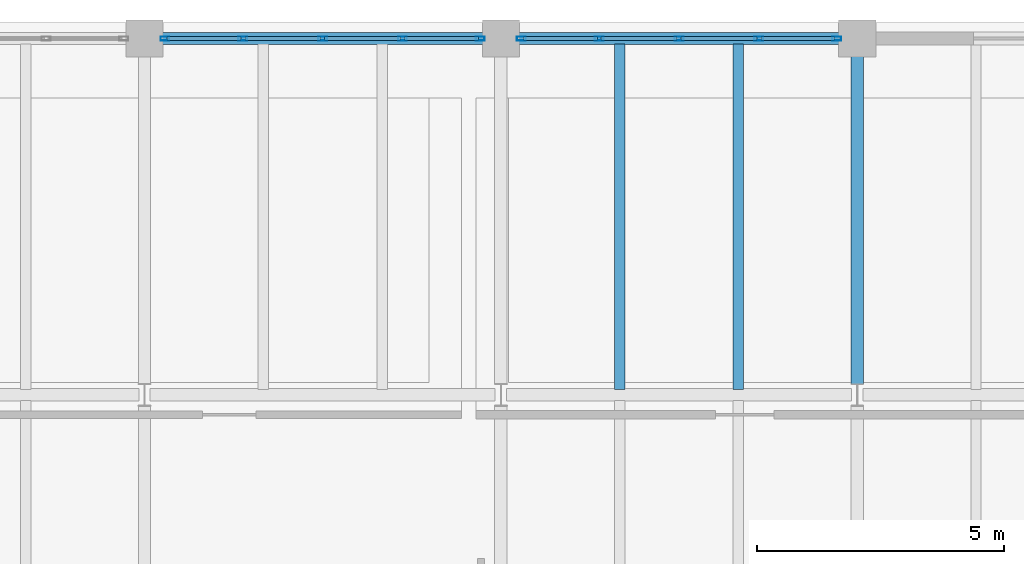
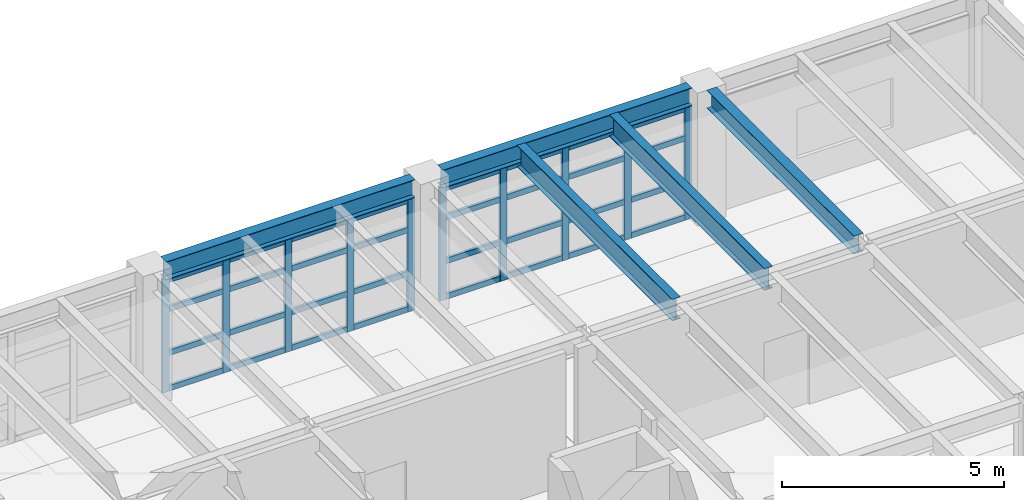
# One storey, part 11 of 24: 42 members, 5 beams, 2 elements without a shape of their own.
"""IFC4 building model written with IfcOpenShell, lengths in metres."""

from ifc_helpers import new_model, si_unit, direction, frame, origin, origin_2d, place, context, subcontext, project, spatial, hollow_rectangle, i_section, extrude, material, layer, layer_set, material_profile, profile_set, type_object, element, aggregate, save


model = new_model("IFC4")

# Units and contexts
model_context = context("Model", 3, precision=1e-05, world=origin(), true_north=direction((0.0, 1.0)))
body_context = subcontext(model_context, "Body", "Model", "MODEL_VIEW")
ifc_project = project(units=[si_unit("LENGTHUNIT", "METRE"), si_unit("AREAUNIT", "SQUARE_METRE"), si_unit("VOLUMEUNIT", "CUBIC_METRE"), si_unit("PLANEANGLEUNIT", "RADIAN"), si_unit("MASSUNIT", "GRAM", prefix="KILO")], contexts=[model_context])

# Site, building, storey
site_placement = place(None, origin())
site = spatial("IfcSite", under=ifc_project, at=site_placement, CompositionType="ELEMENT")
building_placement = place(site_placement, origin())
building = spatial("IfcBuilding", under=site, at=building_placement, Name="Kandorven Conservatory and Botanical Research Centre", CompositionType="ELEMENT")
storey_placement = place(building_placement, frame((0.0, 0.0, 24.89990234375)))
storey = spatial("IfcBuildingStorey", under=building, at=storey_placement, Name="L06", CompositionType="ELEMENT", Elevation=24.89990234375)

# Beams
ifc_material_1 = material(Name="Steel S355 (IS 2062 E350)", Category="steel")
ifc_material_profile_1 = material_profile(ifc_material_1, i_section(OverallWidth=0.25, OverallDepth=0.5, WebThickness=0.010009765625, FlangeThickness=0.0146484375, at=origin_2d()))
ifc_profile_set_1 = profile_set([ifc_material_profile_1], Name="Steel S355 (IS 2062 E350)")
beam_type_1 = type_object("IfcBeamType", Name="Beam_FG-02", PredefinedType="USERDEFINED", material=ifc_profile_set_1)
beam_1_placement = place(storey_placement, frame((20.764892578125, 34.800048828125, 3.400146484375), z_axis=(1.0, 0.0, 0.0), x_axis=(0.0, 1.0, 0.0)))
element("IfcBeam", 1, at=beam_1_placement, inside=storey, type_object=beam_type_1, Name="Primary girder FG-02 TWR L06", ObjectType="GIRDER", PredefinedType="USERDEFINED", context=body_context, shape_type="SweptSolid", body=[
    extrude(i_section(OverallWidth=0.25, OverallDepth=0.5, WebThickness=0.010009765625, FlangeThickness=0.0146484375, at=origin_2d()), origin(), (0.0, 0.0, 1.0), 6.47021484375),
])
beam_2_placement = place(storey_placement, frame((27.965087890625, 34.800048828125, 3.400146484375), z_axis=(1.0, 0.0, 0.0), x_axis=(0.0, 1.0, 0.0)))
element("IfcBeam", 2, at=beam_2_placement, inside=storey, type_object=beam_type_1, Name="Primary girder FG-02 TWR L06", ObjectType="GIRDER", PredefinedType="USERDEFINED", context=body_context, shape_type="SweptSolid", body=[
    extrude(i_section(OverallWidth=0.25, OverallDepth=0.5, WebThickness=0.010009765625, FlangeThickness=0.0146484375, at=origin_2d()), origin(), (0.0, 0.0, 1.0), 6.469970703125),
])
beam_3_placement = place(storey_placement, frame((34.800048828125, 27.81494140625, 3.400146484375), z_axis=(0.0, 1.0, 0.0), x_axis=(-1.0, 0.0, 0.0)))
element("IfcBeam", 3, at=beam_3_placement, inside=storey, type_object=beam_type_1, Name="Primary girder FG-02 TWR L06", ObjectType="GIRDER", PredefinedType="USERDEFINED", context=body_context, shape_type="SweptSolid", body=[
    extrude(i_section(OverallWidth=0.25, OverallDepth=0.5, WebThickness=0.010009765625, FlangeThickness=0.0146484375, at=origin_2d()), origin(), (0.0, 0.0, 1.0), 6.6201171875),
])
ifc_material_2 = material(Name="Steel S355 (IS 2062 E350)", Category="steel")
ifc_material_profile_2 = material_profile(ifc_material_2, i_section(OverallWidth=0.2099609375, OverallDepth=0.60009765625, WebThickness=0.011962890625, FlangeThickness=0.020751953125, at=origin_2d()))
ifc_profile_set_2 = profile_set([ifc_material_profile_2], Name="Steel S355 (IS 2062 E350)")
beam_type_2 = type_object("IfcBeamType", Name="Beam_SB-01", PredefinedType="BEAM", material=ifc_profile_set_2)
for number, where, z_axis, x_axis, name in (
    (4, (30.0, 27.7099609375, 3.35009765625), (0.0, 1.0, 0.0), (-1.0, 0.0, 0.0), "Composite secondary beam SB-01 TWR L06"),
    (5, (32.39990234375, 27.7099609375, 3.35009765625), (0.0, 1.0, 0.0), (-1.0, 0.0, 0.0), "Composite secondary beam SB-01 TWR L06"),
):
    element("IfcBeam", number, at=place(storey_placement, frame(where, z_axis=z_axis, x_axis=x_axis)), inside=storey, type_object=beam_type_2, Name=name, PredefinedType="BEAM", context=body_context, shape_type="SweptSolid", body=[
        extrude(i_section(OverallWidth=0.2099609375, OverallDepth=0.60009765625, WebThickness=0.011962890625, FlangeThickness=0.020751953125, at=origin_2d()), origin(), (0.0, 0.0, 1.0), 6.97998046875),
    ])

# Curtain wall, members
ifc_material_3 = material(Name="Bronze anodised thermally broken aluminium", Category="aluminium")
ifc_layer = layer(ifc_material_3, 0.179931640625)
ifc_layer_set = layer_set([ifc_layer], Name="Bronze anodised thermally broken aluminium")
curtain_wall_type = type_object("IfcCurtainWallType", Name="CW_Unitised", PredefinedType="USERDEFINED", material=ifc_layer_set)
curtain_wall_1_placement = place(storey_placement, origin())
curtain_wall_1 = element("IfcCurtainWall", 6, at=curtain_wall_1_placement, inside=storey, type_object=curtain_wall_type, Name="Tower laboratory curtain wall CW-TWR-N-L06-3", ObjectType="UNITISED GLAZING", PredefinedType="USERDEFINED")
ifc_material_4 = material(Name="Bronze anodised thermally broken aluminium", Category="aluminium")
ifc_material_profile_3 = material_profile(ifc_material_4, hollow_rectangle(XDim=0.080078125, YDim=0.179931640625, WallThickness=0.006103515625, at=origin_2d()))
ifc_profile_set_3 = profile_set([ifc_material_profile_3], Name="Bronze anodised thermally broken aluminium")
member_type_1 = type_object("IfcMemberType", Name="CW_Mullion", PredefinedType="MULLION", material=ifc_profile_set_3)
member_1_placement = place(storey_placement, frame((20.81494140625, 34.800048828125, 0.0), z_axis=(0.0, 0.0, 1.0), x_axis=(0.0, 1.0, 0.0)))
member_1 = element("IfcMember", 7, at=member_1_placement, type_object=member_type_1, Name="CW-01 mullion 1", PredefinedType="MULLION", context=body_context, shape_type="SweptSolid", body=[
    extrude(hollow_rectangle(XDim=0.080078125, YDim=0.179931640625, WallThickness=0.006103515625, at=origin_2d()), origin(), (0.0, 0.0, 1.0), 3.130126953125),
])
member_2_placement = place(storey_placement, frame((22.387451171875, 34.800048828125, 0.0), z_axis=(0.0, 0.0, 1.0), x_axis=(0.0, 1.0, 0.0)))
member_2 = element("IfcMember", 8, at=member_2_placement, type_object=member_type_1, Name="CW-01 mullion 2", PredefinedType="MULLION", context=body_context, shape_type="SweptSolid", body=[
    extrude(hollow_rectangle(XDim=0.080078125, YDim=0.179931640625, WallThickness=0.006103515625, at=origin_2d()), origin(), (0.0, 0.0, 1.0), 3.130126953125),
])
member_3_placement = place(storey_placement, frame((24.0, 34.800048828125, 0.0), z_axis=(0.0, 0.0, 1.0), x_axis=(0.0, 1.0, 0.0)))
member_3 = element("IfcMember", 9, at=member_3_placement, type_object=member_type_1, Name="CW-01 mullion 3", PredefinedType="MULLION", context=body_context, shape_type="SweptSolid", body=[
    extrude(hollow_rectangle(XDim=0.080078125, YDim=0.179931640625, WallThickness=0.006103515625, at=origin_2d()), origin(), (0.0, 0.0, 1.0), 3.130126953125),
])
member_4_placement = place(storey_placement, frame((25.612548828125, 34.800048828125, 0.0), z_axis=(0.0, 0.0, 1.0), x_axis=(0.0, 1.0, 0.0)))
member_4 = element("IfcMember", 10, at=member_4_placement, type_object=member_type_1, Name="CW-01 mullion 4", PredefinedType="MULLION", context=body_context, shape_type="SweptSolid", body=[
    extrude(hollow_rectangle(XDim=0.080078125, YDim=0.179931640625, WallThickness=0.006103515625, at=origin_2d()), origin(), (0.0, 0.0, 1.0), 3.130126953125),
])
member_5_placement = place(storey_placement, frame((27.18505859375, 34.800048828125, 0.0), z_axis=(0.0, 0.0, 1.0), x_axis=(0.0, 1.0, 0.0)))
member_5 = element("IfcMember", 11, at=member_5_placement, type_object=member_type_1, Name="CW-01 mullion 5", PredefinedType="MULLION", context=body_context, shape_type="SweptSolid", body=[
    extrude(hollow_rectangle(XDim=0.080078125, YDim=0.179931640625, WallThickness=0.006103515625, at=origin_2d()), origin(), (0.0, 0.0, 1.0), 3.130126953125),
])

curtain_wall_2_placement = place(storey_placement, origin())
curtain_wall_2 = element("IfcCurtainWall", 12, at=curtain_wall_2_placement, inside=storey, type_object=curtain_wall_type, Name="Tower laboratory curtain wall CW-TWR-N-L06-4", ObjectType="UNITISED GLAZING", PredefinedType="USERDEFINED")
member_6_placement = place(storey_placement, frame((28.014892578125, 34.800048828125, 0.0), z_axis=(0.0, 0.0, 1.0), x_axis=(0.0, 1.0, 0.0)))
member_6 = element("IfcMember", 13, at=member_6_placement, type_object=member_type_1, Name="CW-01 mullion 1", PredefinedType="MULLION", context=body_context, shape_type="SweptSolid", body=[
    extrude(hollow_rectangle(XDim=0.080078125, YDim=0.179931640625, WallThickness=0.006103515625, at=origin_2d()), origin(), (0.0, 0.0, 1.0), 3.130126953125),
])
member_7_placement = place(storey_placement, frame((29.58740234375, 34.800048828125, 0.0), z_axis=(0.0, 0.0, 1.0), x_axis=(0.0, 1.0, 0.0)))
member_7 = element("IfcMember", 14, at=member_7_placement, type_object=member_type_1, Name="CW-01 mullion 2", PredefinedType="MULLION", context=body_context, shape_type="SweptSolid", body=[
    extrude(hollow_rectangle(XDim=0.080078125, YDim=0.179931640625, WallThickness=0.006103515625, at=origin_2d()), origin(), (0.0, 0.0, 1.0), 3.130126953125),
])
member_8_placement = place(storey_placement, frame((31.199951171875, 34.800048828125, 0.0), z_axis=(0.0, 0.0, 1.0), x_axis=(0.0, 1.0, 0.0)))
member_8 = element("IfcMember", 15, at=member_8_placement, type_object=member_type_1, Name="CW-01 mullion 3", PredefinedType="MULLION", context=body_context, shape_type="SweptSolid", body=[
    extrude(hollow_rectangle(XDim=0.080078125, YDim=0.179931640625, WallThickness=0.006103515625, at=origin_2d()), origin(), (0.0, 0.0, 1.0), 3.130126953125),
])
member_9_placement = place(storey_placement, frame((32.8125, 34.800048828125, 0.0), z_axis=(0.0, 0.0, 1.0), x_axis=(0.0, 1.0, 0.0)))
member_9 = element("IfcMember", 16, at=member_9_placement, type_object=member_type_1, Name="CW-01 mullion 4", PredefinedType="MULLION", context=body_context, shape_type="SweptSolid", body=[
    extrude(hollow_rectangle(XDim=0.080078125, YDim=0.179931640625, WallThickness=0.006103515625, at=origin_2d()), origin(), (0.0, 0.0, 1.0), 3.130126953125),
])
member_10_placement = place(storey_placement, frame((34.385009765625, 34.800048828125, 0.0), z_axis=(0.0, 0.0, 1.0), x_axis=(0.0, 1.0, 0.0)))
member_10 = element("IfcMember", 17, at=member_10_placement, type_object=member_type_1, Name="CW-01 mullion 5", PredefinedType="MULLION", context=body_context, shape_type="SweptSolid", body=[
    extrude(hollow_rectangle(XDim=0.080078125, YDim=0.179931640625, WallThickness=0.006103515625, at=origin_2d()), origin(), (0.0, 0.0, 1.0), 3.130126953125),
])

# Member
ifc_material_5 = material(Name="Bronze anodised thermally broken aluminium", Category="aluminium")
ifc_material_profile_4 = material_profile(ifc_material_5, hollow_rectangle(XDim=0.074951171875, YDim=0.14990234375, WallThickness=0.006103515625, at=origin_2d()))
ifc_profile_set_4 = profile_set([ifc_material_profile_4], Name="Bronze anodised thermally broken aluminium")
member_type_2 = type_object("IfcMemberType", Name="CW_Transom", PredefinedType="USERDEFINED", material=ifc_profile_set_4)
member_11_placement = place(storey_placement, frame((20.85498046875, 34.800048828125, 0.0751953125), z_axis=(1.0, 0.0, 0.0), x_axis=(0.0, 1.0, 0.0)))
member_11 = element("IfcMember", 18, at=member_11_placement, type_object=member_type_2, Name="CW-01 transom 1.1", ObjectType="TRANSOM", PredefinedType="USERDEFINED", context=body_context, shape_type="SweptSolid", body=[
    extrude(hollow_rectangle(XDim=0.074951171875, YDim=0.14990234375, WallThickness=0.006103515625, at=origin_2d()), origin(), (0.0, 0.0, 1.0), 1.492431640625),
])

member_12_placement = place(storey_placement, frame((20.85498046875, 34.800048828125, 1.050048828125), z_axis=(1.0, 0.0, 0.0), x_axis=(0.0, 1.0, 0.0)))
member_12 = element("IfcMember", 19, at=member_12_placement, type_object=member_type_2, Name="CW-01 transom 1.2", ObjectType="TRANSOM", PredefinedType="USERDEFINED", context=body_context, shape_type="SweptSolid", body=[
    extrude(hollow_rectangle(XDim=0.074951171875, YDim=0.14990234375, WallThickness=0.006103515625, at=origin_2d()), origin(), (0.0, 0.0, 1.0), 1.492431640625),
])

member_13_placement = place(storey_placement, frame((20.85498046875, 34.800048828125, 2.25), z_axis=(1.0, 0.0, 0.0), x_axis=(0.0, 1.0, 0.0)))
member_13 = element("IfcMember", 20, at=member_13_placement, type_object=member_type_2, Name="CW-01 transom 1.3", ObjectType="TRANSOM", PredefinedType="USERDEFINED", context=body_context, shape_type="SweptSolid", body=[
    extrude(hollow_rectangle(XDim=0.074951171875, YDim=0.14990234375, WallThickness=0.006103515625, at=origin_2d()), origin(), (0.0, 0.0, 1.0), 1.492431640625),
])

member_14_placement = place(storey_placement, frame((20.85498046875, 34.800048828125, 3.05517578125), z_axis=(1.0, 0.0, 0.0), x_axis=(0.0, 1.0, 0.0)))
member_14 = element("IfcMember", 21, at=member_14_placement, type_object=member_type_2, Name="CW-01 transom 1.4", ObjectType="TRANSOM", PredefinedType="USERDEFINED", context=body_context, shape_type="SweptSolid", body=[
    extrude(hollow_rectangle(XDim=0.074951171875, YDim=0.14990234375, WallThickness=0.006103515625, at=origin_2d()), origin(), (0.0, 0.0, 1.0), 1.492431640625),
])

member_15_placement = place(storey_placement, frame((22.427490234375, 34.800048828125, 0.0751953125), z_axis=(1.0, 0.0, 0.0), x_axis=(0.0, 1.0, 0.0)))
member_15 = element("IfcMember", 22, at=member_15_placement, type_object=member_type_2, Name="CW-01 transom 2.1", ObjectType="TRANSOM", PredefinedType="USERDEFINED", context=body_context, shape_type="SweptSolid", body=[
    extrude(hollow_rectangle(XDim=0.074951171875, YDim=0.14990234375, WallThickness=0.006103515625, at=origin_2d()), origin(), (0.0, 0.0, 1.0), 1.532470703125),
])

member_16_placement = place(storey_placement, frame((22.427490234375, 34.800048828125, 1.050048828125), z_axis=(1.0, 0.0, 0.0), x_axis=(0.0, 1.0, 0.0)))
member_16 = element("IfcMember", 23, at=member_16_placement, type_object=member_type_2, Name="CW-01 transom 2.2", ObjectType="TRANSOM", PredefinedType="USERDEFINED", context=body_context, shape_type="SweptSolid", body=[
    extrude(hollow_rectangle(XDim=0.074951171875, YDim=0.14990234375, WallThickness=0.006103515625, at=origin_2d()), origin(), (0.0, 0.0, 1.0), 1.532470703125),
])

member_17_placement = place(storey_placement, frame((22.427490234375, 34.800048828125, 2.25), z_axis=(1.0, 0.0, 0.0), x_axis=(0.0, 1.0, 0.0)))
member_17 = element("IfcMember", 24, at=member_17_placement, type_object=member_type_2, Name="CW-01 transom 2.3", ObjectType="TRANSOM", PredefinedType="USERDEFINED", context=body_context, shape_type="SweptSolid", body=[
    extrude(hollow_rectangle(XDim=0.074951171875, YDim=0.14990234375, WallThickness=0.006103515625, at=origin_2d()), origin(), (0.0, 0.0, 1.0), 1.532470703125),
])

member_18_placement = place(storey_placement, frame((22.427490234375, 34.800048828125, 3.05517578125), z_axis=(1.0, 0.0, 0.0), x_axis=(0.0, 1.0, 0.0)))
member_18 = element("IfcMember", 25, at=member_18_placement, type_object=member_type_2, Name="CW-01 transom 2.4", ObjectType="TRANSOM", PredefinedType="USERDEFINED", context=body_context, shape_type="SweptSolid", body=[
    extrude(hollow_rectangle(XDim=0.074951171875, YDim=0.14990234375, WallThickness=0.006103515625, at=origin_2d()), origin(), (0.0, 0.0, 1.0), 1.532470703125),
])

member_19_placement = place(storey_placement, frame((24.0400390625, 34.800048828125, 0.0751953125), z_axis=(1.0, 0.0, 0.0), x_axis=(0.0, 1.0, 0.0)))
member_19 = element("IfcMember", 26, at=member_19_placement, type_object=member_type_2, Name="CW-01 transom 3.1", ObjectType="TRANSOM", PredefinedType="USERDEFINED", context=body_context, shape_type="SweptSolid", body=[
    extrude(hollow_rectangle(XDim=0.074951171875, YDim=0.14990234375, WallThickness=0.006103515625, at=origin_2d()), origin(), (0.0, 0.0, 1.0), 1.532470703125),
])

member_20_placement = place(storey_placement, frame((24.0400390625, 34.800048828125, 1.050048828125), z_axis=(1.0, 0.0, 0.0), x_axis=(0.0, 1.0, 0.0)))
member_20 = element("IfcMember", 27, at=member_20_placement, type_object=member_type_2, Name="CW-01 transom 3.2", ObjectType="TRANSOM", PredefinedType="USERDEFINED", context=body_context, shape_type="SweptSolid", body=[
    extrude(hollow_rectangle(XDim=0.074951171875, YDim=0.14990234375, WallThickness=0.006103515625, at=origin_2d()), origin(), (0.0, 0.0, 1.0), 1.532470703125),
])

member_21_placement = place(storey_placement, frame((24.0400390625, 34.800048828125, 2.25), z_axis=(1.0, 0.0, 0.0), x_axis=(0.0, 1.0, 0.0)))
member_21 = element("IfcMember", 28, at=member_21_placement, type_object=member_type_2, Name="CW-01 transom 3.3", ObjectType="TRANSOM", PredefinedType="USERDEFINED", context=body_context, shape_type="SweptSolid", body=[
    extrude(hollow_rectangle(XDim=0.074951171875, YDim=0.14990234375, WallThickness=0.006103515625, at=origin_2d()), origin(), (0.0, 0.0, 1.0), 1.532470703125),
])

member_22_placement = place(storey_placement, frame((24.0400390625, 34.800048828125, 3.05517578125), z_axis=(1.0, 0.0, 0.0), x_axis=(0.0, 1.0, 0.0)))
member_22 = element("IfcMember", 29, at=member_22_placement, type_object=member_type_2, Name="CW-01 transom 3.4", ObjectType="TRANSOM", PredefinedType="USERDEFINED", context=body_context, shape_type="SweptSolid", body=[
    extrude(hollow_rectangle(XDim=0.074951171875, YDim=0.14990234375, WallThickness=0.006103515625, at=origin_2d()), origin(), (0.0, 0.0, 1.0), 1.532470703125),
])

member_23_placement = place(storey_placement, frame((25.652587890625, 34.800048828125, 0.0751953125), z_axis=(1.0, 0.0, 0.0), x_axis=(0.0, 1.0, 0.0)))
member_23 = element("IfcMember", 30, at=member_23_placement, type_object=member_type_2, Name="CW-01 transom 4.1", ObjectType="TRANSOM", PredefinedType="USERDEFINED", context=body_context, shape_type="SweptSolid", body=[
    extrude(hollow_rectangle(XDim=0.074951171875, YDim=0.14990234375, WallThickness=0.006103515625, at=origin_2d()), origin(), (0.0, 0.0, 1.0), 1.492431640625),
])

member_24_placement = place(storey_placement, frame((25.652587890625, 34.800048828125, 1.050048828125), z_axis=(1.0, 0.0, 0.0), x_axis=(0.0, 1.0, 0.0)))
member_24 = element("IfcMember", 31, at=member_24_placement, type_object=member_type_2, Name="CW-01 transom 4.2", ObjectType="TRANSOM", PredefinedType="USERDEFINED", context=body_context, shape_type="SweptSolid", body=[
    extrude(hollow_rectangle(XDim=0.074951171875, YDim=0.14990234375, WallThickness=0.006103515625, at=origin_2d()), origin(), (0.0, 0.0, 1.0), 1.492431640625),
])

member_25_placement = place(storey_placement, frame((25.652587890625, 34.800048828125, 2.25), z_axis=(1.0, 0.0, 0.0), x_axis=(0.0, 1.0, 0.0)))
member_25 = element("IfcMember", 32, at=member_25_placement, type_object=member_type_2, Name="CW-01 transom 4.3", ObjectType="TRANSOM", PredefinedType="USERDEFINED", context=body_context, shape_type="SweptSolid", body=[
    extrude(hollow_rectangle(XDim=0.074951171875, YDim=0.14990234375, WallThickness=0.006103515625, at=origin_2d()), origin(), (0.0, 0.0, 1.0), 1.492431640625),
])

member_26_placement = place(storey_placement, frame((25.652587890625, 34.800048828125, 3.05517578125), z_axis=(1.0, 0.0, 0.0), x_axis=(0.0, 1.0, 0.0)))
member_26 = element("IfcMember", 33, at=member_26_placement, type_object=member_type_2, Name="CW-01 transom 4.4", ObjectType="TRANSOM", PredefinedType="USERDEFINED", context=body_context, shape_type="SweptSolid", body=[
    extrude(hollow_rectangle(XDim=0.074951171875, YDim=0.14990234375, WallThickness=0.006103515625, at=origin_2d()), origin(), (0.0, 0.0, 1.0), 1.492431640625),
])

aggregate(curtain_wall_1, [member_1, member_2, member_3, member_4, member_5, member_11, member_12, member_13, member_14, member_15, member_16, member_17, member_18, member_19, member_20, member_21, member_22, member_23, member_24, member_25, member_26])

member_27_placement = place(storey_placement, frame((28.054931640625, 34.800048828125, 0.0751953125), z_axis=(1.0, 0.0, 0.0), x_axis=(0.0, 1.0, 0.0)))
member_27 = element("IfcMember", 34, at=member_27_placement, type_object=member_type_2, Name="CW-01 transom 1.1", ObjectType="TRANSOM", PredefinedType="USERDEFINED", context=body_context, shape_type="SweptSolid", body=[
    extrude(hollow_rectangle(XDim=0.074951171875, YDim=0.14990234375, WallThickness=0.006103515625, at=origin_2d()), origin(), (0.0, 0.0, 1.0), 1.49267578125),
])

member_28_placement = place(storey_placement, frame((28.054931640625, 34.800048828125, 1.050048828125), z_axis=(1.0, 0.0, 0.0), x_axis=(0.0, 1.0, 0.0)))
member_28 = element("IfcMember", 35, at=member_28_placement, type_object=member_type_2, Name="CW-01 transom 1.2", ObjectType="TRANSOM", PredefinedType="USERDEFINED", context=body_context, shape_type="SweptSolid", body=[
    extrude(hollow_rectangle(XDim=0.074951171875, YDim=0.14990234375, WallThickness=0.006103515625, at=origin_2d()), origin(), (0.0, 0.0, 1.0), 1.49267578125),
])

member_29_placement = place(storey_placement, frame((28.054931640625, 34.800048828125, 2.25), z_axis=(1.0, 0.0, 0.0), x_axis=(0.0, 1.0, 0.0)))
member_29 = element("IfcMember", 36, at=member_29_placement, type_object=member_type_2, Name="CW-01 transom 1.3", ObjectType="TRANSOM", PredefinedType="USERDEFINED", context=body_context, shape_type="SweptSolid", body=[
    extrude(hollow_rectangle(XDim=0.074951171875, YDim=0.14990234375, WallThickness=0.006103515625, at=origin_2d()), origin(), (0.0, 0.0, 1.0), 1.49267578125),
])

member_30_placement = place(storey_placement, frame((28.054931640625, 34.800048828125, 3.05517578125), z_axis=(1.0, 0.0, 0.0), x_axis=(0.0, 1.0, 0.0)))
member_30 = element("IfcMember", 37, at=member_30_placement, type_object=member_type_2, Name="CW-01 transom 1.4", ObjectType="TRANSOM", PredefinedType="USERDEFINED", context=body_context, shape_type="SweptSolid", body=[
    extrude(hollow_rectangle(XDim=0.074951171875, YDim=0.14990234375, WallThickness=0.006103515625, at=origin_2d()), origin(), (0.0, 0.0, 1.0), 1.49267578125),
])

member_31_placement = place(storey_placement, frame((29.62744140625, 34.800048828125, 0.0751953125), z_axis=(1.0, 0.0, 0.0), x_axis=(0.0, 1.0, 0.0)))
member_31 = element("IfcMember", 38, at=member_31_placement, type_object=member_type_2, Name="CW-01 transom 2.1", ObjectType="TRANSOM", PredefinedType="USERDEFINED", context=body_context, shape_type="SweptSolid", body=[
    extrude(hollow_rectangle(XDim=0.074951171875, YDim=0.14990234375, WallThickness=0.006103515625, at=origin_2d()), origin(), (0.0, 0.0, 1.0), 1.532470703125),
])

member_32_placement = place(storey_placement, frame((29.62744140625, 34.800048828125, 1.050048828125), z_axis=(1.0, 0.0, 0.0), x_axis=(0.0, 1.0, 0.0)))
member_32 = element("IfcMember", 39, at=member_32_placement, type_object=member_type_2, Name="CW-01 transom 2.2", ObjectType="TRANSOM", PredefinedType="USERDEFINED", context=body_context, shape_type="SweptSolid", body=[
    extrude(hollow_rectangle(XDim=0.074951171875, YDim=0.14990234375, WallThickness=0.006103515625, at=origin_2d()), origin(), (0.0, 0.0, 1.0), 1.532470703125),
])

member_33_placement = place(storey_placement, frame((29.62744140625, 34.800048828125, 2.25), z_axis=(1.0, 0.0, 0.0), x_axis=(0.0, 1.0, 0.0)))
member_33 = element("IfcMember", 40, at=member_33_placement, type_object=member_type_2, Name="CW-01 transom 2.3", ObjectType="TRANSOM", PredefinedType="USERDEFINED", context=body_context, shape_type="SweptSolid", body=[
    extrude(hollow_rectangle(XDim=0.074951171875, YDim=0.14990234375, WallThickness=0.006103515625, at=origin_2d()), origin(), (0.0, 0.0, 1.0), 1.532470703125),
])

member_34_placement = place(storey_placement, frame((29.62744140625, 34.800048828125, 3.05517578125), z_axis=(1.0, 0.0, 0.0), x_axis=(0.0, 1.0, 0.0)))
member_34 = element("IfcMember", 41, at=member_34_placement, type_object=member_type_2, Name="CW-01 transom 2.4", ObjectType="TRANSOM", PredefinedType="USERDEFINED", context=body_context, shape_type="SweptSolid", body=[
    extrude(hollow_rectangle(XDim=0.074951171875, YDim=0.14990234375, WallThickness=0.006103515625, at=origin_2d()), origin(), (0.0, 0.0, 1.0), 1.532470703125),
])

member_35_placement = place(storey_placement, frame((31.239990234375, 34.800048828125, 0.0751953125), z_axis=(1.0, 0.0, 0.0), x_axis=(0.0, 1.0, 0.0)))
member_35 = element("IfcMember", 42, at=member_35_placement, type_object=member_type_2, Name="CW-01 transom 3.1", ObjectType="TRANSOM", PredefinedType="USERDEFINED", context=body_context, shape_type="SweptSolid", body=[
    extrude(hollow_rectangle(XDim=0.074951171875, YDim=0.14990234375, WallThickness=0.006103515625, at=origin_2d()), origin(), (0.0, 0.0, 1.0), 1.532470703125),
])

member_36_placement = place(storey_placement, frame((31.239990234375, 34.800048828125, 1.050048828125), z_axis=(1.0, 0.0, 0.0), x_axis=(0.0, 1.0, 0.0)))
member_36 = element("IfcMember", 43, at=member_36_placement, type_object=member_type_2, Name="CW-01 transom 3.2", ObjectType="TRANSOM", PredefinedType="USERDEFINED", context=body_context, shape_type="SweptSolid", body=[
    extrude(hollow_rectangle(XDim=0.074951171875, YDim=0.14990234375, WallThickness=0.006103515625, at=origin_2d()), origin(), (0.0, 0.0, 1.0), 1.532470703125),
])

member_37_placement = place(storey_placement, frame((31.239990234375, 34.800048828125, 2.25), z_axis=(1.0, 0.0, 0.0), x_axis=(0.0, 1.0, 0.0)))
member_37 = element("IfcMember", 44, at=member_37_placement, type_object=member_type_2, Name="CW-01 transom 3.3", ObjectType="TRANSOM", PredefinedType="USERDEFINED", context=body_context, shape_type="SweptSolid", body=[
    extrude(hollow_rectangle(XDim=0.074951171875, YDim=0.14990234375, WallThickness=0.006103515625, at=origin_2d()), origin(), (0.0, 0.0, 1.0), 1.532470703125),
])

member_38_placement = place(storey_placement, frame((31.239990234375, 34.800048828125, 3.05517578125), z_axis=(1.0, 0.0, 0.0), x_axis=(0.0, 1.0, 0.0)))
member_38 = element("IfcMember", 45, at=member_38_placement, type_object=member_type_2, Name="CW-01 transom 3.4", ObjectType="TRANSOM", PredefinedType="USERDEFINED", context=body_context, shape_type="SweptSolid", body=[
    extrude(hollow_rectangle(XDim=0.074951171875, YDim=0.14990234375, WallThickness=0.006103515625, at=origin_2d()), origin(), (0.0, 0.0, 1.0), 1.532470703125),
])

member_39_placement = place(storey_placement, frame((32.8525390625, 34.800048828125, 0.0751953125), z_axis=(1.0, 0.0, 0.0), x_axis=(0.0, 1.0, 0.0)))
member_39 = element("IfcMember", 46, at=member_39_placement, type_object=member_type_2, Name="CW-01 transom 4.1", ObjectType="TRANSOM", PredefinedType="USERDEFINED", context=body_context, shape_type="SweptSolid", body=[
    extrude(hollow_rectangle(XDim=0.074951171875, YDim=0.14990234375, WallThickness=0.006103515625, at=origin_2d()), origin(), (0.0, 0.0, 1.0), 1.492431640625),
])

member_40_placement = place(storey_placement, frame((32.8525390625, 34.800048828125, 1.050048828125), z_axis=(1.0, 0.0, 0.0), x_axis=(0.0, 1.0, 0.0)))
member_40 = element("IfcMember", 47, at=member_40_placement, type_object=member_type_2, Name="CW-01 transom 4.2", ObjectType="TRANSOM", PredefinedType="USERDEFINED", context=body_context, shape_type="SweptSolid", body=[
    extrude(hollow_rectangle(XDim=0.074951171875, YDim=0.14990234375, WallThickness=0.006103515625, at=origin_2d()), origin(), (0.0, 0.0, 1.0), 1.492431640625),
])

member_41_placement = place(storey_placement, frame((32.8525390625, 34.800048828125, 2.25), z_axis=(1.0, 0.0, 0.0), x_axis=(0.0, 1.0, 0.0)))
member_41 = element("IfcMember", 48, at=member_41_placement, type_object=member_type_2, Name="CW-01 transom 4.3", ObjectType="TRANSOM", PredefinedType="USERDEFINED", context=body_context, shape_type="SweptSolid", body=[
    extrude(hollow_rectangle(XDim=0.074951171875, YDim=0.14990234375, WallThickness=0.006103515625, at=origin_2d()), origin(), (0.0, 0.0, 1.0), 1.492431640625),
])

member_42_placement = place(storey_placement, frame((32.8525390625, 34.800048828125, 3.05517578125), z_axis=(1.0, 0.0, 0.0), x_axis=(0.0, 1.0, 0.0)))
member_42 = element("IfcMember", 49, at=member_42_placement, type_object=member_type_2, Name="CW-01 transom 4.4", ObjectType="TRANSOM", PredefinedType="USERDEFINED", context=body_context, shape_type="SweptSolid", body=[
    extrude(hollow_rectangle(XDim=0.074951171875, YDim=0.14990234375, WallThickness=0.006103515625, at=origin_2d()), origin(), (0.0, 0.0, 1.0), 1.492431640625),
])

aggregate(curtain_wall_2, [member_6, member_7, member_8, member_9, member_10, member_27, member_28, member_29, member_30, member_31, member_32, member_33, member_34, member_35, member_36, member_37, member_38, member_39, member_40, member_41, member_42])

save(model, "model.ifc")
